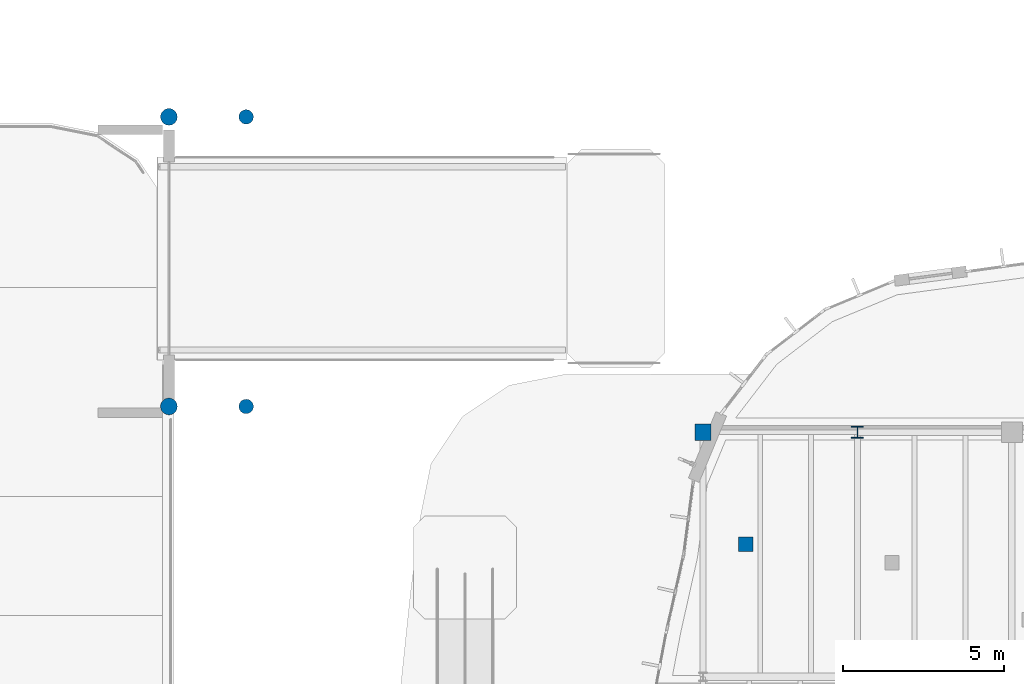
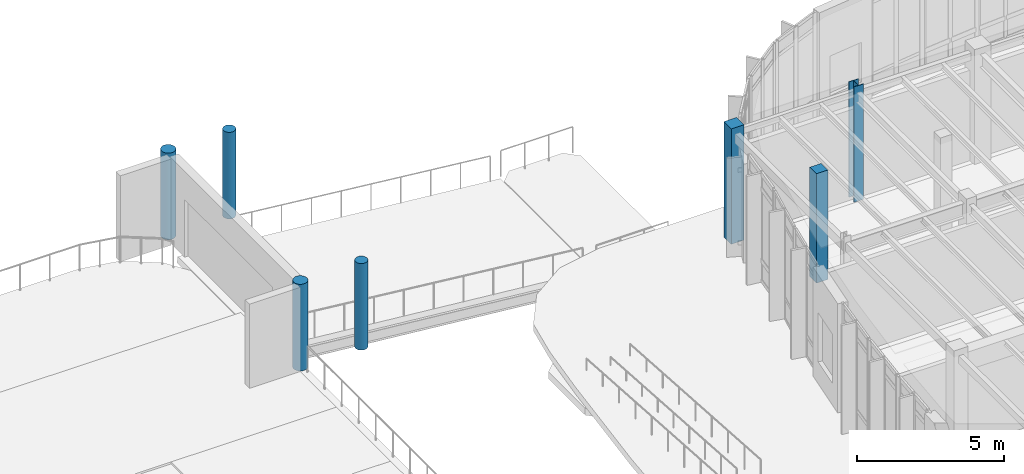
# One storey, part 14 of 120: 7 columns.
"""IFC4 building model written with IfcOpenShell, lengths in metres."""

from ifc_helpers import new_model, si_unit, direction, frame, origin, origin_2d, place, context, subcontext, project, spatial, rectangle, circle, i_section, extrude, material, material_profile, profile_set, type_object, element, save


model = new_model("IFC4")

# Units and contexts
model_context = context("Model", 3, precision=1e-05, world=origin(), true_north=direction((0.0, 1.0)))
body_context = subcontext(model_context, "Body", "Model", "MODEL_VIEW")
ifc_project = project(units=[si_unit("LENGTHUNIT", "METRE"), si_unit("AREAUNIT", "SQUARE_METRE"), si_unit("VOLUMEUNIT", "CUBIC_METRE"), si_unit("PLANEANGLEUNIT", "RADIAN"), si_unit("MASSUNIT", "GRAM", prefix="KILO")], contexts=[model_context])

# Site, building, storey
site_placement = place(None, origin())
site = spatial("IfcSite", under=ifc_project, at=site_placement, CompositionType="ELEMENT")
building_placement = place(site_placement, origin())
building = spatial("IfcBuilding", under=site, at=building_placement, Name="Corveleigh Park Community Centre", CompositionType="ELEMENT")
storey_placement = place(building_placement, origin())
storey = spatial("IfcBuildingStorey", under=building, at=storey_placement, Name="L00", CompositionType="ELEMENT", Elevation=0.0)

# Columns
ifc_material_1 = material(Name="Concrete C40/50", Category="concrete")
ifc_material_profile_1 = material_profile(ifc_material_1, rectangle(XDim=0.449951171875, YDim=0.449951171875, at=origin_2d()), Name="RC-450x450", Category="concrete")
ifc_profile_set_1 = profile_set([ifc_material_profile_1], Name="Concrete C40/50")
column_type_1 = type_object("IfcColumnType", Name="COL-RC-450x450", PredefinedType="COLUMN", material=ifc_profile_set_1)
column_1_placement = place(storey_placement, frame((131.12890625, 100.72412109375, 0.0), z_axis=(0.0, 0.0, 1.0), x_axis=(1.0, 0.0, 0.0)))
element("IfcColumn", 1, at=column_1_placement, inside=storey, type_object=column_type_1, Name="External deck support pier 126 L00", PredefinedType="COLUMN", context=body_context, shape_type="SweptSolid", body=[
    extrude(rectangle(XDim=0.449951171875, YDim=0.449951171875, at=origin_2d()), origin(), (0.0, 0.0, 1.0), 4.552978515625),
])
ifc_material_profile_2 = material_profile(ifc_material_1, rectangle(XDim=0.5, YDim=0.5, at=origin_2d()), Name="RC-500x500", Category="concrete")
ifc_profile_set_2 = profile_set([ifc_material_profile_2], Name="Concrete C40/50")
column_type_2 = type_object("IfcColumnType", Name="COL-RC-500x500", PredefinedType="COLUMN", material=ifc_profile_set_2)
column_2_placement = place(storey_placement, frame((129.800048828125, 104.199951171875, 0.0), z_axis=(0.0, 0.0, 1.0), x_axis=(1.0, 0.0, 0.0)))
element("IfcColumn", 2, at=column_2_placement, inside=storey, type_object=column_type_2, Name="Column V4-X0Y6 L00", PredefinedType="COLUMN", context=body_context, shape_type="SweptSolid", body=[
    extrude(rectangle(XDim=0.5, YDim=0.5, at=origin_2d()), origin(), (0.0, 0.0, 1.0), 4.800048828125),
])
ifc_material_profile_3 = material_profile(ifc_material_1, circle(Radius=0.22509765625, at=origin_2d()), Name="RC-450D", Category="concrete")
ifc_profile_set_3 = profile_set([ifc_material_profile_3], Name="Concrete C40/50")
column_type_3 = type_object("IfcColumnType", Name="COL-RCE-450D", PredefinedType="COLUMN", material=ifc_profile_set_3)
for number, where, z_axis, x_axis, name in (
    (3, (115.60009765625, 105.0, 0.0), (0.0, 0.0, 1.0), (1.0, 0.0, 0.0), "External deck support pier 115 L00"),
    (4, (115.60009765625, 114.0, 0.0), (0.0, 0.0, 1.0), (1.0, 0.0, 0.0), "External deck support pier 117 L00"),
):
    element("IfcColumn", number, at=place(storey_placement, frame(where, z_axis=z_axis, x_axis=x_axis)), inside=storey, type_object=column_type_3, Name=name, PredefinedType="COLUMN", context=body_context, shape_type="SweptSolid", body=[
        extrude(circle(Radius=0.22509765625, at=origin_2d()), origin(), (0.0, 0.0, 1.0), 3.60302734375),
    ])
ifc_material_profile_4 = material_profile(ifc_material_1, circle(Radius=0.260009765625, at=origin_2d()), Name="RC-520D", Category="concrete")
ifc_profile_set_4 = profile_set([ifc_material_profile_4], Name="Concrete C40/50")
column_type_4 = type_object("IfcColumnType", Name="COL-RCE-520D", PredefinedType="COLUMN", material=ifc_profile_set_4)
for number, where, z_axis, x_axis, name in (
    (5, (113.199951171875, 105.0, 0.0), (0.0, 0.0, 1.0), (1.0, 0.0, 0.0), "External deck support pier 114 L00"),
    (6, (113.199951171875, 114.0, 0.0), (0.0, 0.0, 1.0), (1.0, 0.0, 0.0), "External deck support pier 116 L00"),
):
    element("IfcColumn", number, at=place(storey_placement, frame(where, z_axis=z_axis, x_axis=x_axis)), inside=storey, type_object=column_type_4, Name=name, PredefinedType="COLUMN", context=body_context, shape_type="SweptSolid", body=[
        extrude(circle(Radius=0.260009765625, at=origin_2d()), origin(), (0.0, 0.0, 1.0), 3.60302734375),
    ])
ifc_material_2 = material(Name="Steel S355", Category="steel")
ifc_material_profile_5 = material_profile(ifc_material_2, i_section(OverallWidth=0.37255859375, OverallDepth=0.3681640625, WebThickness=0.014404296875, FlangeThickness=0.023681640625, at=origin_2d()), Name="UKC 356x368x177", Category="steel")
ifc_profile_set_5 = profile_set([ifc_material_profile_5], Name="Steel S355")
column_type_5 = type_object("IfcColumnType", Name="COL-STL-UKC356x177", PredefinedType="COLUMN", material=ifc_profile_set_5)
column_3_placement = place(storey_placement, frame((134.60009765625, 104.199951171875, 0.0), z_axis=(0.0, 0.0, 1.0), x_axis=(1.0, 0.0, 0.0)))
element("IfcColumn", 7, at=column_3_placement, inside=storey, type_object=column_type_5, Name="Column V4-X1Y6 L00", PredefinedType="COLUMN", context=body_context, shape_type="SweptSolid", body=[
    extrude(i_section(OverallWidth=0.37255859375, OverallDepth=0.3681640625, WebThickness=0.014404296875, FlangeThickness=0.023681640625, at=origin_2d()), origin(), (0.0, 0.0, 1.0), 4.800048828125),
])

save(model, "model.ifc")
